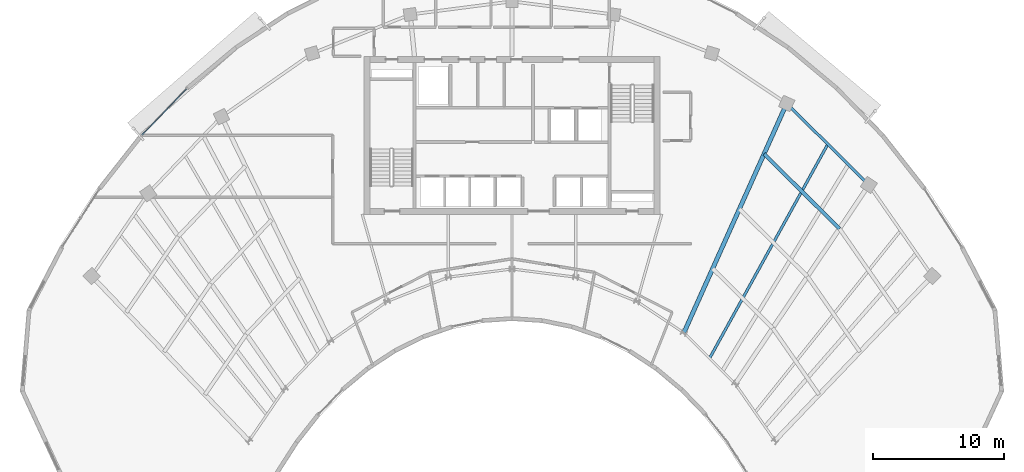
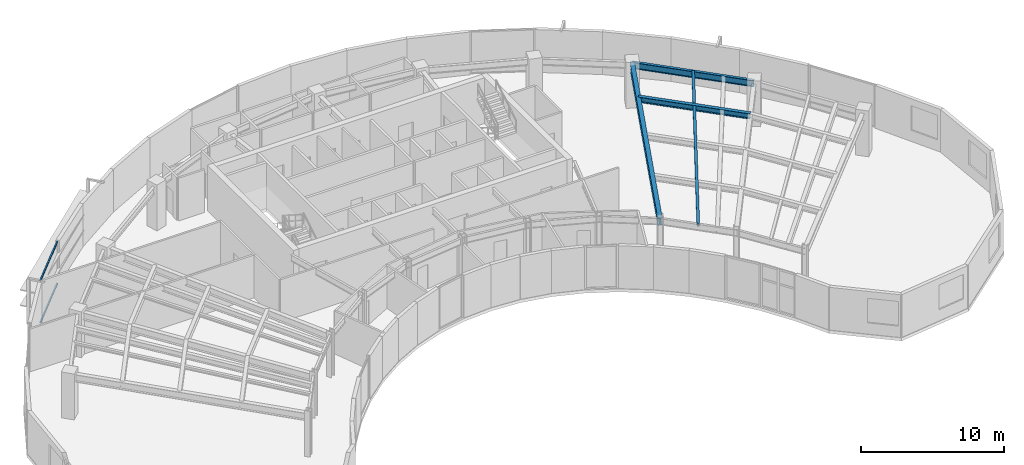
# One storey, part 4 of 14: 4 beams, 2 members, 1 element without a shape of its own.
"""IFC4 building model written with IfcOpenShell, lengths in metres."""

from ifc_helpers import new_model, si_unit, direction, frame, origin, origin_2d, place, context, subcontext, project, spatial, rectangle, i_section, extrude, source, transform, mapped, material, layer, layer_set, material_profile, profile_set, type_object, element, aggregate, save


model = new_model("IFC4")

# Units and contexts
model_context = context("Model", 3, precision=1e-05, world=origin(), true_north=direction((0.0, 1.0)))
body_context = subcontext(model_context, "Body", "Model", "MODEL_VIEW")
ifc_project = project(units=[si_unit("LENGTHUNIT", "METRE"), si_unit("AREAUNIT", "SQUARE_METRE"), si_unit("VOLUMEUNIT", "CUBIC_METRE"), si_unit("PLANEANGLEUNIT", "RADIAN"), si_unit("MASSUNIT", "GRAM", prefix="KILO")], contexts=[model_context])

# Site, building, storey
site_placement = place(None, origin())
site = spatial("IfcSite", under=ifc_project, at=site_placement, CompositionType="ELEMENT")
building_placement = place(site_placement, origin())
building = spatial("IfcBuilding", under=site, at=building_placement, Name="Breltana Convention Tower", CompositionType="ELEMENT")
storey_placement = place(building_placement, frame((0.0, 0.0, 207.89990234375)))
storey = spatial("IfcBuildingStorey", under=building, at=storey_placement, Name="L50", CompositionType="ELEMENT", Elevation=207.89990234375)

# Beams
ifc_material_1 = material(Name="Steel ASTM A992 Grade 50", Category="steel")
ifc_material_profile_1 = material_profile(ifc_material_1, i_section(OverallWidth=0.280029296875, OverallDepth=0.462890625, WebThickness=0.0107421875, FlangeThickness=0.017333984375, at=origin_2d()), Name="W18X76")
ifc_profile_set_1 = profile_set([ifc_material_profile_1], Name="Steel ASTM A992 Grade 50")
beam_type_1 = type_object("IfcBeamType", Name="BM-JSG-06", PredefinedType="JOIST", material=ifc_profile_set_1)
shared_shape_1 = source(origin(), body_context, "Body", "SweptSolid", [
    extrude(i_section(OverallWidth=0.280029296875, OverallDepth=0.462890625, WebThickness=0.0107421875, FlangeThickness=0.017333984375, at=origin_2d()), origin(), (0.0, 0.0, 1.0), 8.084716796875),
])
beam_1_placement = place(storey_placement, frame((67.188232421875, 64.79248046875, 3.40869140625), z_axis=(0.710105094548, -0.704095699956, 0.0), x_axis=(0.704095699956, 0.710105094548, 0.0)))
element("IfcBeam", 1, at=beam_1_placement, inside=storey, type_object=beam_type_1, Name="L50 Composite Floor Joist 09.3", PredefinedType="JOIST", context=body_context, shape_type="MappedRepresentation", body=[
    mapped(shared_shape_1, transform((0.0, 0.0, 0.0), scale=1.0)),
])
ifc_material_profile_2 = material_profile(ifc_material_1, i_section(OverallWidth=0.201904296875, OverallDepth=0.2470703125, WebThickness=0.00732421875, FlangeThickness=0.010986328125, at=origin_2d()), Name="W10X33")
ifc_profile_set_2 = profile_set([ifc_material_profile_2], Name="Steel ASTM A992 Grade 50")
beam_type_2 = type_object("IfcBeamType", Name="BM-JSG-11", PredefinedType="JOIST", material=ifc_profile_set_2)
shared_shape_2 = source(origin(), body_context, "Body", "SweptSolid", [
    extrude(i_section(OverallWidth=0.201904296875, OverallDepth=0.2470703125, WebThickness=0.00732421875, FlangeThickness=0.010986328125, at=origin_2d()), origin(), (0.0, 0.0, 1.0), 18.617431640625),
])
beam_2_placement = place(storey_placement, frame((63.038818359375, 49.234130859375, 3.5166015625), z_axis=(0.483405602507, 0.875396495004, 0.0), x_axis=(-0.875396495004, 0.483405602507, 0.0)))
element("IfcBeam", 2, at=beam_2_placement, inside=storey, type_object=beam_type_2, Name="L50 Mid-Bay Radial Trimmer 09", PredefinedType="JOIST", context=body_context, shape_type="MappedRepresentation", body=[
    mapped(shared_shape_2, transform((0.0, 0.0, 0.0), scale=1.0)),
])
ifc_material_profile_3 = material_profile(ifc_material_1, i_section(OverallWidth=0.326904296875, OverallDepth=0.6220703125, WebThickness=0.015380859375, FlangeThickness=0.0244140625, at=origin_2d()), Name="W24X131")
ifc_profile_set_3 = profile_set([ifc_material_profile_3], Name="Steel ASTM A992 Grade 50")
beam_type_3 = type_object("IfcBeamType", Name="BM-RG-W24X131", PredefinedType="USERDEFINED", material=ifc_profile_set_3)
shared_shape_3 = source(origin(), body_context, "Body", "SweptSolid", [
    extrude(i_section(OverallWidth=0.326904296875, OverallDepth=0.6220703125, WebThickness=0.015380859375, FlangeThickness=0.0244140625, at=origin_2d()), origin(), (0.0, 0.0, 1.0), 19.133544921875),
])
beam_3_placement = place(storey_placement, frame((61.08203125, 51.174560546875, 3.3291015625), z_axis=(0.409144564164, 0.912469575172, 0.0), x_axis=(-0.912469575172, 0.409144564164, 0.0)))
element("IfcBeam", 3, at=beam_3_placement, inside=storey, type_object=beam_type_3, Name="L50 Radial Floor Girder R09", ObjectType="GIRDER", PredefinedType="USERDEFINED", context=body_context, shape_type="MappedRepresentation", body=[
    mapped(shared_shape_3, transform((0.0, 0.0, 0.0), scale=1.0)),
])
ifc_material_profile_4 = material_profile(ifc_material_1, i_section(OverallWidth=0.214111328125, OverallDepth=0.549072265625, WebThickness=0.0146484375, FlangeThickness=0.023681640625, at=origin_2d()), Name="W21X93")
ifc_profile_set_4 = profile_set([ifc_material_profile_4], Name="Steel ASTM A992 Grade 50")
beam_type_4 = type_object("IfcBeamType", Name="BM-SP-W21X93", PredefinedType="SPANDREL", material=ifc_profile_set_4)
shared_shape_4 = source(origin(), body_context, "Body", "SweptSolid", [
    extrude(i_section(OverallWidth=0.214111328125, OverallDepth=0.549072265625, WebThickness=0.0146484375, FlangeThickness=0.023681640625, at=origin_2d()), origin(), (0.0, 0.0, 1.0), 8.810302734375),
])
beam_4_placement = place(storey_placement, frame((68.910400390625, 68.63330078125, 3.365478515625), z_axis=(0.710120823582, -0.704079836322, 0.0), x_axis=(0.704079836322, 0.710120823582, 0.0)))
element("IfcBeam", 4, at=beam_4_placement, inside=storey, type_object=beam_type_4, Name="L50 Outer Spandrel Beam 09", PredefinedType="SPANDREL", context=body_context, shape_type="MappedRepresentation", body=[
    mapped(shared_shape_4, transform((0.0, 0.0, 0.0), scale=1.0)),
])

# Curtain wall, members
ifc_material_2 = material(Name="Aluminium Anodised Bronze Frame", Category="aluminium")
ifc_layer = layer(ifc_material_2, 0.219970703125, Name="Aluminium Anodised Bronze Frame")
ifc_layer_set = layer_set([ifc_layer], Name="Aluminium Anodised Bronze Frame")
curtain_wall_type = type_object("IfcCurtainWallType", Name="CW-SYS-4", PredefinedType="NOTDEFINED", material=ifc_layer_set)
curtain_wall_placement = place(storey_placement, origin())
curtain_wall = element("IfcCurtainWall", 5, at=curtain_wall_placement, inside=storey, type_object=curtain_wall_type, Name="L50 outer double-skin inner glazing 2", PredefinedType="NOTDEFINED")
ifc_material_3 = material(Name="Aluminium Anodised Bronze", Category="aluminium")
ifc_material_profile_5 = material_profile(ifc_material_3, rectangle(XDim=0.070068359375, YDim=0.1201171875, at=origin_2d()), Name="CWT-70X120")
ifc_profile_set_5 = profile_set([ifc_material_profile_5], Name="Aluminium Anodised Bronze")
member_type = type_object("IfcMemberType", Name="CWT-120", PredefinedType="USERDEFINED", material=ifc_profile_set_5)
shared_shape_5 = source(origin(), body_context, "Body", "SweptSolid", [
    extrude(rectangle(XDim=0.070068359375, YDim=0.1201171875, at=origin_2d()), origin(), (0.0, 0.0, 1.0), 4.8408203125),
])
member_1_placement = place(storey_placement, frame((19.85009765625, 66.247802734375, 0.03515625), z_axis=(0.694617014344, 0.719379735178, 0.0), x_axis=(-0.719379735178, 0.694617014344, 0.0)))
member_1 = element("IfcMember", 6, at=member_1_placement, type_object=member_type, Name="CW-04 transom 1.1", ObjectType="TRANSOM", PredefinedType="USERDEFINED", context=body_context, shape_type="MappedRepresentation", body=[
    mapped(shared_shape_5, transform((0.0, 0.0, 0.0), scale=1.0)),
])
member_2_placement = place(storey_placement, frame((19.85009765625, 66.247802734375, 3.60498046875), z_axis=(0.694617014344, 0.719379735178, 0.0), x_axis=(-0.719379735178, 0.694617014344, 0.0)))
member_2 = element("IfcMember", 7, at=member_2_placement, type_object=member_type, Name="CW-04 transom 1.2", ObjectType="TRANSOM", PredefinedType="USERDEFINED", context=body_context, shape_type="MappedRepresentation", body=[
    mapped(shared_shape_5, transform((0.0, 0.0, 0.0), scale=1.0)),
])
aggregate(curtain_wall, [member_1, member_2])

save(model, "model.ifc")
